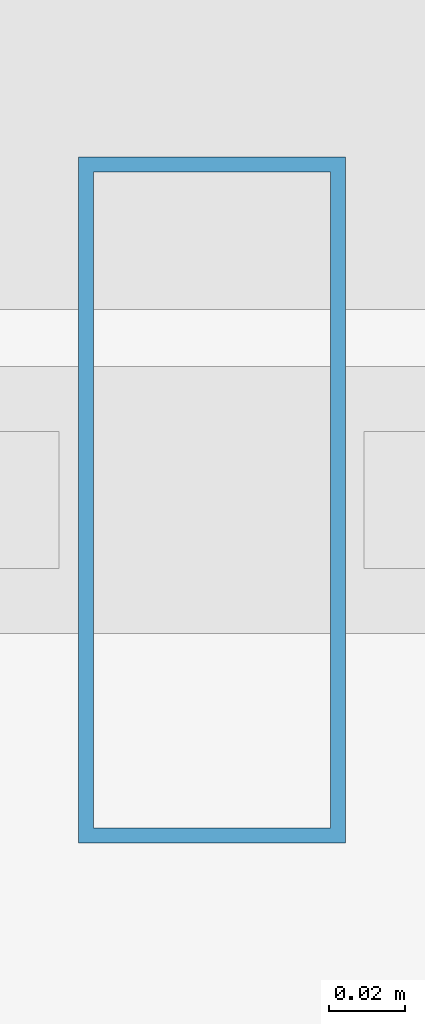
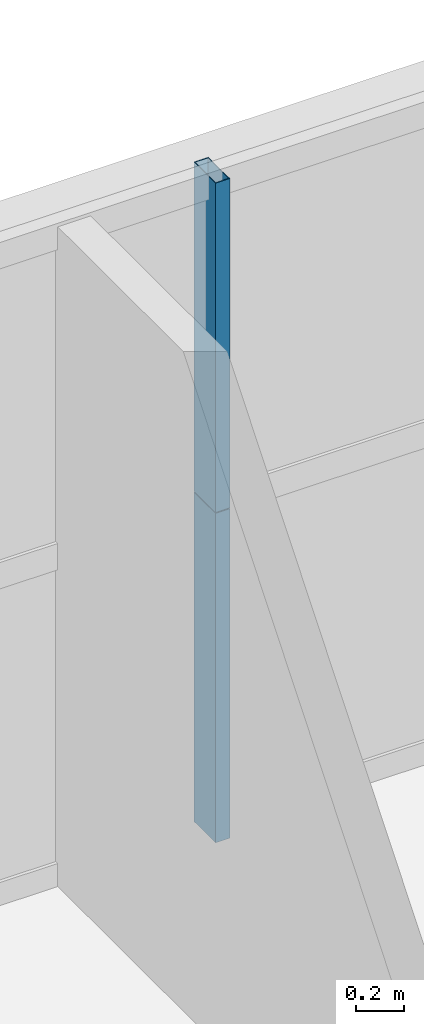
# One storey, part 34 of 43: 2 members, 1 element without a shape of its own.
"""IFC4 building model written with IfcOpenShell, lengths in metres."""

from ifc_helpers import new_model, si_unit, direction, frame, origin, origin_2d, place, context, subcontext, project, spatial, hollow_rectangle, extrude, source, transform, mapped, material, layer, layer_set, material_profile, profile_set, type_object, element, aggregate, save


model = new_model("IFC4")

# Units and contexts
model_context = context("Model", 3, precision=1e-05, world=origin(), true_north=direction((0.0, 1.0)))
body_context = subcontext(model_context, "Body", "Model", "MODEL_VIEW")
ifc_project = project(units=[si_unit("LENGTHUNIT", "METRE"), si_unit("AREAUNIT", "SQUARE_METRE"), si_unit("VOLUMEUNIT", "CUBIC_METRE"), si_unit("PLANEANGLEUNIT", "RADIAN"), si_unit("MASSUNIT", "GRAM", prefix="KILO"), si_unit("THERMODYNAMICTEMPERATUREUNIT", "KELVIN"), si_unit("POWERUNIT", "WATT")], contexts=[model_context])

# Site, building, storey
site_placement = place(None, origin())
site = spatial("IfcSite", under=ifc_project, at=site_placement, CompositionType="ELEMENT")
building_placement = place(site_placement, origin())
building = spatial("IfcBuilding", under=site, at=building_placement, Name="Yuzanri Waterfront Tower", CompositionType="ELEMENT")
storey_placement = place(building_placement, frame((0.0, 0.0, 71.199951171875)))
storey = spatial("IfcBuildingStorey", under=building, at=storey_placement, Name="L18", CompositionType="ELEMENT", Elevation=71.199951171875)

# Curtain wall, members
ifc_material_1 = material(Name="Anodized Architectural Bronze", Category="metal")
ifc_layer = layer(ifc_material_1, 0.159912109375)
ifc_layer_set = layer_set([ifc_layer], Name="Anodized Architectural Bronze")
curtain_wall_type = type_object("IfcCurtainWallType", Name="Anodized Bronze Hotel Lower-Tier Recessed Unitized Curtain Wall 8100", PredefinedType="NOTDEFINED", material=ifc_layer_set)
curtain_wall_placement = place(storey_placement, origin())
curtain_wall = element("IfcCurtainWall", 1, at=curtain_wall_placement, inside=storey, type_object=curtain_wall_type, Name="L18 Curtain Wall CW-L18-NR", PredefinedType="NOTDEFINED")
ifc_material_2 = material(Name="Anodized Architectural Bronze", Category="metal")
ifc_material_profile = material_profile(ifc_material_2, hollow_rectangle(XDim=0.070068359375, YDim=0.179931640625, WallThickness=0.00390625, at=origin_2d()), Name="CWM 70x180")
ifc_profile_set = profile_set([ifc_material_profile], Name="Anodized Architectural Bronze")
member_type = type_object("IfcMemberType", Name="Anodized Bronze Standard Curtain-Wall Mullion 70x180", PredefinedType="MULLION", material=ifc_profile_set)
shared_shape = source(origin(), body_context, "Body", "SweptSolid", [
    extrude(hollow_rectangle(XDim=0.070068359375, YDim=0.179931640625, WallThickness=0.00390625, at=origin_2d()), origin(), (0.0, 0.0, 1.0), 1.68798828125),
])
member_1_placement = place(storey_placement, frame((46.10009765625, 50.75, 0.0), z_axis=(0.0, 0.0, 1.0), x_axis=(1.0, 0.0, 0.0)))
member_1 = element("IfcMember", 2, at=member_1_placement, type_object=member_type, Name="CW-L18-NR Lower Mullion 01", PredefinedType="MULLION", context=body_context, shape_type="MappedRepresentation", body=[
    mapped(shared_shape, transform((0.0, 0.0, 0.0), scale=1.0)),
])
member_2_placement = place(storey_placement, frame((46.10009765625, 50.75, 1.692138671875), z_axis=(0.0, 0.0, 1.0), x_axis=(1.0, 0.0, 0.0)))
member_2 = element("IfcMember", 3, at=member_2_placement, type_object=member_type, Name="CW-L18-NR Upper Mullion 01", PredefinedType="MULLION", context=body_context, shape_type="MappedRepresentation", body=[
    mapped(shared_shape, transform((0.0, 0.0, 0.0), scale=1.0)),
])
aggregate(curtain_wall, [member_1, member_2])

save(model, "model.ifc")
